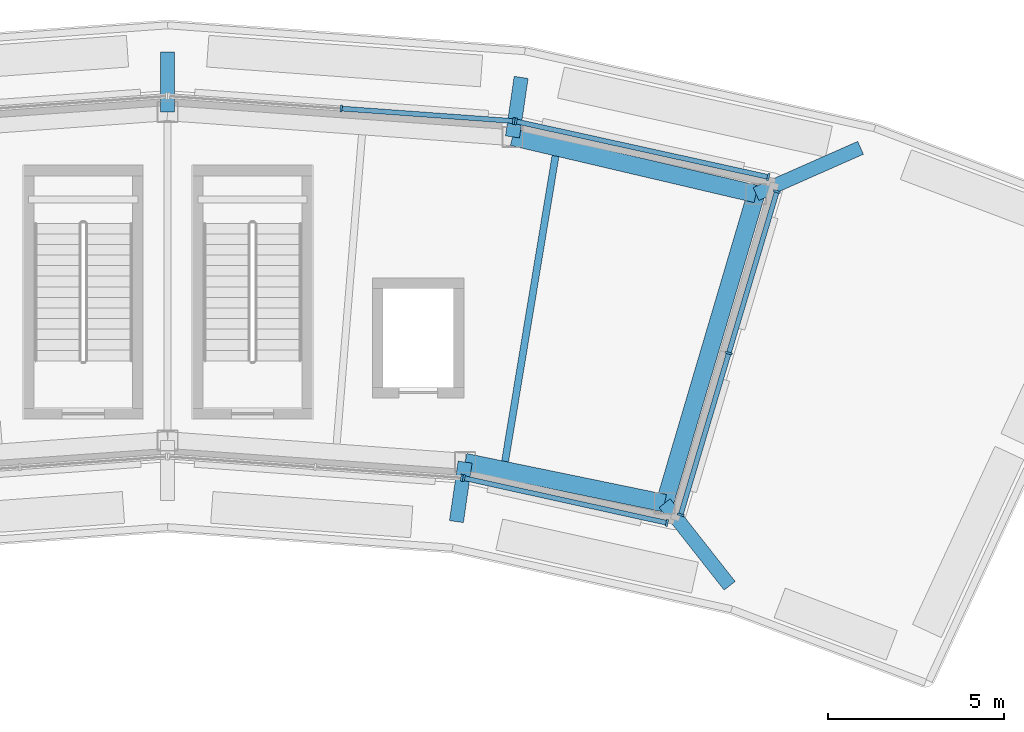
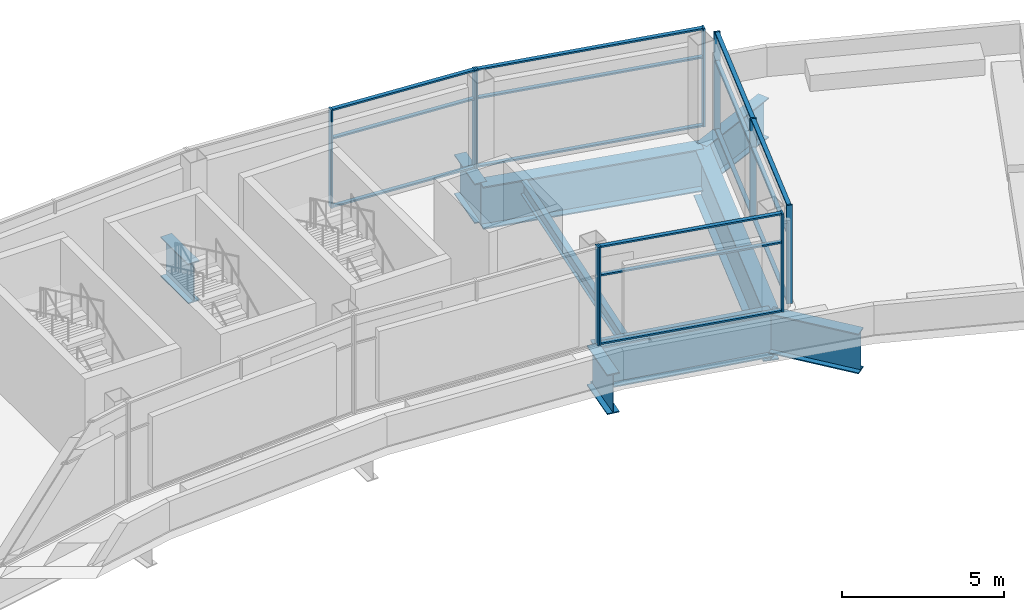
# One storey, part 3 of 7: 25 members, 9 beams, 5 elements without a shape of their own.
"""IFC4 building model written with IfcOpenShell, lengths in metres."""

from ifc_helpers import new_model, si_unit, direction, frame, origin, origin_2d, place, context, subcontext, project, spatial, rectangle, i_section, extrude, material, layer, layer_set, material_profile, profile_set, type_object, element, aggregate, save


model = new_model("IFC4")

# Units and contexts
model_context = context("Model", 3, precision=1e-05, world=origin(), true_north=direction((0.0, 1.0)))
body_context = subcontext(model_context, "Body", "Model", "MODEL_VIEW")
ifc_project = project(units=[si_unit("LENGTHUNIT", "METRE"), si_unit("AREAUNIT", "SQUARE_METRE"), si_unit("VOLUMEUNIT", "CUBIC_METRE"), si_unit("PLANEANGLEUNIT", "RADIAN"), si_unit("MASSUNIT", "GRAM", prefix="KILO")], contexts=[model_context])

# Site, building, storey
site_placement = place(None, origin())
site = spatial("IfcSite", under=ifc_project, at=site_placement, CompositionType="ELEMENT")
building_placement = place(site_placement, origin())
building = spatial("IfcBuilding", under=site, at=building_placement, Name="Tuul Gate Civic Tower", CompositionType="ELEMENT")
storey_placement = place(building_placement, frame((0.0, 0.0, 376.10009765625)))
storey = spatial("IfcBuildingStorey", under=building, at=storey_placement, Name="Crown tier 3 lower", CompositionType="ELEMENT", Elevation=376.10009765625)

# Curtain wall, members
ifc_material_1 = material(Name="Aluminium", Category="aluminium")
ifc_layer = layer(ifc_material_1, 0.199951171875)
ifc_layer_set = layer_set([ifc_layer], Name="Aluminium")
curtain_wall_type = type_object("IfcCurtainWallType", Name="Curtain wall CW5", PredefinedType="NOTDEFINED", material=ifc_layer_set)
curtain_wall_1_placement = place(storey_placement, origin())
curtain_wall_1 = element("IfcCurtainWall", 1, at=curtain_wall_1_placement, inside=storey, type_object=curtain_wall_type, Name="Curtain wall CW5", PredefinedType="NOTDEFINED")
ifc_material_2 = material(Name="Aluminium", Category="aluminium")
ifc_material_profile_1 = material_profile(ifc_material_2, rectangle(XDim=0.199951171875, YDim=0.06005859375, at=origin_2d()), Name="CW5 mullion")
ifc_profile_set_1 = profile_set([ifc_material_profile_1], Name="Aluminium")
member_type_1 = type_object("IfcMemberType", Name="CW5 mullion", PredefinedType="MULLION", material=ifc_profile_set_1)
member_1_placement = place(storey_placement, frame((19.231689453125, 5.96435546875, 0.0), z_axis=(0.0, 0.0, 1.0), x_axis=(-0.215297760919, -0.97654844946, 0.0)))
member_1 = element("IfcMember", 2, at=member_1_placement, type_object=member_type_1, Name="Mullion", PredefinedType="MULLION", context=body_context, shape_type="SweptSolid", body=[
    extrude(rectangle(XDim=0.199951171875, YDim=0.06005859375, at=origin_2d()), origin(), (0.0, 0.0, 1.0), 3.699951171875),
])
member_2_placement = place(storey_placement, frame((12.0693359375, 7.54345703125, 0.0), z_axis=(0.0, 0.0, 1.0), x_axis=(-0.215297760919, -0.97654844946, 0.0)))
member_2 = element("IfcMember", 3, at=member_2_placement, type_object=member_type_1, Name="Mullion", PredefinedType="MULLION", context=body_context, shape_type="SweptSolid", body=[
    extrude(rectangle(XDim=0.199951171875, YDim=0.06005859375, at=origin_2d()), origin(), (0.0, 0.0, 1.0), 3.699951171875),
])

curtain_wall_2_placement = place(storey_placement, origin())
curtain_wall_2 = element("IfcCurtainWall", 4, at=curtain_wall_2_placement, inside=storey, type_object=curtain_wall_type, Name="Curtain wall CW5", PredefinedType="NOTDEFINED")
member_3_placement = place(storey_placement, frame((12.010009765625, 7.55224609375, 0.0), z_axis=(0.0, 0.0, 1.0), x_axis=(-0.072211474614, -0.997389343704, 0.0)))
member_3 = element("IfcMember", 5, at=member_3_placement, type_object=member_type_1, Name="Mullion", PredefinedType="MULLION", context=body_context, shape_type="SweptSolid", body=[
    extrude(rectangle(XDim=0.199951171875, YDim=0.06005859375, at=origin_2d()), origin(), (0.0, 0.0, 1.0), 3.699951171875),
])
member_4_placement = place(storey_placement, frame((7.115966796875, 7.906494140625, 0.0), z_axis=(0.0, 0.0, 1.0), x_axis=(-0.072211474614, -0.997389343704, 0.0)))
member_4 = element("IfcMember", 6, at=member_4_placement, type_object=member_type_1, Name="Mullion", PredefinedType="MULLION", context=body_context, shape_type="SweptSolid", body=[
    extrude(rectangle(XDim=0.199951171875, YDim=0.06005859375, at=origin_2d()), origin(), (0.0, 0.0, 1.0), 3.699951171875),
])

# Curtain wall, member
curtain_wall_3_placement = place(storey_placement, origin())
curtain_wall_3 = element("IfcCurtainWall", 7, at=curtain_wall_3_placement, inside=storey, type_object=curtain_wall_type, Name="Curtain wall CW5", PredefinedType="NOTDEFINED")
member_5_placement = place(storey_placement, frame((10.5361328125, -2.56787109375, 0.0), z_axis=(0.0, 0.0, 1.0), x_axis=(0.072178099624, 0.997391759508, 0.0)))
member_5 = element("IfcMember", 8, at=member_5_placement, type_object=member_type_1, Name="Mullion", PredefinedType="MULLION", context=body_context, shape_type="SweptSolid", body=[
    extrude(rectangle(XDim=0.199951171875, YDim=0.06005859375, at=origin_2d()), origin(), (0.0, 0.0, 1.0), 3.699951171875),
])
aggregate(curtain_wall_3, [member_5])

# Curtain wall, members
curtain_wall_4_placement = place(storey_placement, origin())
curtain_wall_4 = element("IfcCurtainWall", 9, at=curtain_wall_4_placement, inside=storey, type_object=curtain_wall_type, Name="Curtain wall CW5", PredefinedType="NOTDEFINED")
member_6_placement = place(storey_placement, frame((10.59521484375, -2.576416015625, 0.0), z_axis=(0.0, 0.0, 1.0), x_axis=(0.215242614215, 0.976560605916, 0.0)))
member_6 = element("IfcMember", 10, at=member_6_placement, type_object=member_type_1, Name="Mullion", PredefinedType="MULLION", context=body_context, shape_type="SweptSolid", body=[
    extrude(rectangle(XDim=0.199951171875, YDim=0.06005859375, at=origin_2d()), origin(), (0.0, 0.0, 1.0), 3.699951171875),
])
member_7_placement = place(storey_placement, frame((16.357666015625, -3.846435546875, 0.0), z_axis=(0.0, 0.0, 1.0), x_axis=(0.215242614215, 0.976560605916, 0.0)))
member_7 = element("IfcMember", 11, at=member_7_placement, type_object=member_type_1, Name="Mullion", PredefinedType="MULLION", context=body_context, shape_type="SweptSolid", body=[
    extrude(rectangle(XDim=0.199951171875, YDim=0.06005859375, at=origin_2d()), origin(), (0.0, 0.0, 1.0), 3.699951171875),
])

curtain_wall_5_placement = place(storey_placement, origin())
curtain_wall_5 = element("IfcCurtainWall", 12, at=curtain_wall_5_placement, inside=storey, type_object=curtain_wall_type, Name="Curtain wall CW5", PredefinedType="NOTDEFINED")
member_8_placement = place(storey_placement, frame((16.74755859375, -3.6171875, 0.0), z_axis=(0.0, 0.0, 1.0), x_axis=(-0.95847574458, 0.285174064481, 0.0)))
member_8 = element("IfcMember", 13, at=member_8_placement, type_object=member_type_1, Name="Mullion", PredefinedType="MULLION", context=body_context, shape_type="SweptSolid", body=[
    extrude(rectangle(XDim=0.199951171875, YDim=0.06005859375, at=origin_2d()), origin(), (0.0, 0.0, 1.0), 3.699951171875),
])
member_9_placement = place(storey_placement, frame((18.111572265625, 0.967041015625, 0.0), z_axis=(0.0, 0.0, 1.0), x_axis=(-0.95847574458, 0.285174064481, 0.0)))
member_9 = element("IfcMember", 14, at=member_9_placement, type_object=member_type_1, Name="Mullion", PredefinedType="MULLION", context=body_context, shape_type="SweptSolid", body=[
    extrude(rectangle(XDim=0.199951171875, YDim=0.06005859375, at=origin_2d()), origin(), (0.0, 0.0, 1.0), 3.699951171875),
])
member_10_placement = place(storey_placement, frame((19.475341796875, 5.55126953125, 0.0), z_axis=(0.0, 0.0, 1.0), x_axis=(-0.95847574458, 0.285174064481, 0.0)))
member_10 = element("IfcMember", 15, at=member_10_placement, type_object=member_type_1, Name="Mullion", PredefinedType="MULLION", context=body_context, shape_type="SweptSolid", body=[
    extrude(rectangle(XDim=0.199951171875, YDim=0.06005859375, at=origin_2d()), origin(), (0.0, 0.0, 1.0), 3.699951171875),
])

# Member
ifc_material_3 = material(Name="Aluminium", Category="aluminium")
ifc_material_profile_2 = material_profile(ifc_material_3, rectangle(XDim=0.139892578125, YDim=0.06005859375, at=origin_2d()), Name="CW5 transom")
ifc_profile_set_2 = profile_set([ifc_material_profile_2], Name="Aluminium")
member_type_2 = type_object("IfcMemberType", Name="CW5 transom", PredefinedType="USERDEFINED", material=ifc_profile_set_2)
member_11_placement = place(storey_placement, frame((19.202392578125, 5.970947265625, 0.02978515625), z_axis=(-0.976548165097, 0.21529905073, 0.0), x_axis=(-0.21529905073, -0.976548165097, 0.0)))
member_11 = element("IfcMember", 16, at=member_11_placement, type_object=member_type_2, Name="Transom", ObjectType="TRANSOM", PredefinedType="USERDEFINED", context=body_context, shape_type="SweptSolid", body=[
    extrude(rectangle(XDim=0.139892578125, YDim=0.06005859375, at=origin_2d()), origin(), (0.0, 0.0, 1.0), 7.2744140625),
])

member_12_placement = place(storey_placement, frame((19.202392578125, 5.970947265625, 2.599853515625), z_axis=(-0.976548165097, 0.21529905073, 0.0), x_axis=(-0.21529905073, -0.976548165097, 0.0)))
member_12 = element("IfcMember", 17, at=member_12_placement, type_object=member_type_2, Name="Transom", ObjectType="TRANSOM", PredefinedType="USERDEFINED", context=body_context, shape_type="SweptSolid", body=[
    extrude(rectangle(XDim=0.139892578125, YDim=0.06005859375, at=origin_2d()), origin(), (0.0, 0.0, 1.0), 7.2744140625),
])

member_13_placement = place(storey_placement, frame((19.202392578125, 5.970947265625, 3.669921875), z_axis=(-0.976548165097, 0.21529905073, 0.0), x_axis=(-0.21529905073, -0.976548165097, 0.0)))
member_13 = element("IfcMember", 18, at=member_13_placement, type_object=member_type_2, Name="Transom", ObjectType="TRANSOM", PredefinedType="USERDEFINED", context=body_context, shape_type="SweptSolid", body=[
    extrude(rectangle(XDim=0.139892578125, YDim=0.06005859375, at=origin_2d()), origin(), (0.0, 0.0, 1.0), 7.2744140625),
])

aggregate(curtain_wall_1, [member_1, member_2, member_11, member_12, member_13])

member_14_placement = place(storey_placement, frame((11.980224609375, 7.554443359375, 0.02978515625), z_axis=(-0.997391527399, 0.072181306942, 0.0), x_axis=(-0.072181306942, -0.997391527399, 0.0)))
member_14 = element("IfcMember", 19, at=member_14_placement, type_object=member_type_2, Name="Transom", ObjectType="TRANSOM", PredefinedType="USERDEFINED", context=body_context, shape_type="SweptSolid", body=[
    extrude(rectangle(XDim=0.139892578125, YDim=0.06005859375, at=origin_2d()), origin(), (0.0, 0.0, 1.0), 4.846923828125),
])

member_15_placement = place(storey_placement, frame((11.980224609375, 7.554443359375, 2.599853515625), z_axis=(-0.997391527399, 0.072181306942, 0.0), x_axis=(-0.072181306942, -0.997391527399, 0.0)))
member_15 = element("IfcMember", 20, at=member_15_placement, type_object=member_type_2, Name="Transom", ObjectType="TRANSOM", PredefinedType="USERDEFINED", context=body_context, shape_type="SweptSolid", body=[
    extrude(rectangle(XDim=0.139892578125, YDim=0.06005859375, at=origin_2d()), origin(), (0.0, 0.0, 1.0), 4.846923828125),
])

member_16_placement = place(storey_placement, frame((11.980224609375, 7.554443359375, 3.669921875), z_axis=(-0.997391527399, 0.072181306942, 0.0), x_axis=(-0.072181306942, -0.997391527399, 0.0)))
member_16 = element("IfcMember", 21, at=member_16_placement, type_object=member_type_2, Name="Transom", ObjectType="TRANSOM", PredefinedType="USERDEFINED", context=body_context, shape_type="SweptSolid", body=[
    extrude(rectangle(XDim=0.139892578125, YDim=0.06005859375, at=origin_2d()), origin(), (0.0, 0.0, 1.0), 4.846923828125),
])

aggregate(curtain_wall_2, [member_3, member_4, member_14, member_15, member_16])

member_17_placement = place(storey_placement, frame((10.62451171875, -2.5830078125, 0.02978515625), z_axis=(0.976564228316, -0.215226178642, 0.0), x_axis=(0.215226178642, 0.976564228316, 0.0)))
member_17 = element("IfcMember", 22, at=member_17_placement, type_object=member_type_2, Name="Transom", ObjectType="TRANSOM", PredefinedType="USERDEFINED", context=body_context, shape_type="SweptSolid", body=[
    extrude(rectangle(XDim=0.139892578125, YDim=0.06005859375, at=origin_2d()), origin(), (0.0, 0.0, 1.0), 5.8408203125),
])

member_18_placement = place(storey_placement, frame((10.62451171875, -2.5830078125, 2.599853515625), z_axis=(0.976564228316, -0.215226178642, 0.0), x_axis=(0.215226178642, 0.976564228316, 0.0)))
member_18 = element("IfcMember", 23, at=member_18_placement, type_object=member_type_2, Name="Transom", ObjectType="TRANSOM", PredefinedType="USERDEFINED", context=body_context, shape_type="SweptSolid", body=[
    extrude(rectangle(XDim=0.139892578125, YDim=0.06005859375, at=origin_2d()), origin(), (0.0, 0.0, 1.0), 5.8408203125),
])

member_19_placement = place(storey_placement, frame((10.62451171875, -2.5830078125, 3.669921875), z_axis=(0.976564228316, -0.215226178642, 0.0), x_axis=(0.215226178642, 0.976564228316, 0.0)))
member_19 = element("IfcMember", 24, at=member_19_placement, type_object=member_type_2, Name="Transom", ObjectType="TRANSOM", PredefinedType="USERDEFINED", context=body_context, shape_type="SweptSolid", body=[
    extrude(rectangle(XDim=0.139892578125, YDim=0.06005859375, at=origin_2d()), origin(), (0.0, 0.0, 1.0), 5.8408203125),
])

aggregate(curtain_wall_4, [member_6, member_7, member_17, member_18, member_19])

member_20_placement = place(storey_placement, frame((16.756103515625, -3.58837890625, 0.02978515625), z_axis=(0.285198756775, 0.958468397567, 0.0), x_axis=(-0.958468397567, 0.285198756775, 0.0)))
member_20 = element("IfcMember", 25, at=member_20_placement, type_object=member_type_2, Name="Transom", ObjectType="TRANSOM", PredefinedType="USERDEFINED", context=body_context, shape_type="SweptSolid", body=[
    extrude(rectangle(XDim=0.139892578125, YDim=0.06005859375, at=origin_2d()), origin(), (0.0, 0.0, 1.0), 4.72265625),
])

member_21_placement = place(storey_placement, frame((16.756103515625, -3.58837890625, 2.599853515625), z_axis=(0.285198756775, 0.958468397567, 0.0), x_axis=(-0.958468397567, 0.285198756775, 0.0)))
member_21 = element("IfcMember", 26, at=member_21_placement, type_object=member_type_2, Name="Transom", ObjectType="TRANSOM", PredefinedType="USERDEFINED", context=body_context, shape_type="SweptSolid", body=[
    extrude(rectangle(XDim=0.139892578125, YDim=0.06005859375, at=origin_2d()), origin(), (0.0, 0.0, 1.0), 4.72265625),
])

member_22_placement = place(storey_placement, frame((16.756103515625, -3.58837890625, 3.669921875), z_axis=(0.285198756775, 0.958468397567, 0.0), x_axis=(-0.958468397567, 0.285198756775, 0.0)))
member_22 = element("IfcMember", 27, at=member_22_placement, type_object=member_type_2, Name="Transom", ObjectType="TRANSOM", PredefinedType="USERDEFINED", context=body_context, shape_type="SweptSolid", body=[
    extrude(rectangle(XDim=0.139892578125, YDim=0.06005859375, at=origin_2d()), origin(), (0.0, 0.0, 1.0), 4.72265625),
])

member_23_placement = place(storey_placement, frame((18.1201171875, 0.995849609375, 0.02978515625), z_axis=(0.285151265936, 0.958482527506, 0.0), x_axis=(-0.958482527506, 0.285151265936, 0.0)))
member_23 = element("IfcMember", 28, at=member_23_placement, type_object=member_type_2, Name="Transom", ObjectType="TRANSOM", PredefinedType="USERDEFINED", context=body_context, shape_type="SweptSolid", body=[
    extrude(rectangle(XDim=0.139892578125, YDim=0.06005859375, at=origin_2d()), origin(), (0.0, 0.0, 1.0), 4.72265625),
])

member_24_placement = place(storey_placement, frame((18.1201171875, 0.995849609375, 2.599853515625), z_axis=(0.285151265936, 0.958482527506, 0.0), x_axis=(-0.958482527506, 0.285151265936, 0.0)))
member_24 = element("IfcMember", 29, at=member_24_placement, type_object=member_type_2, Name="Transom", ObjectType="TRANSOM", PredefinedType="USERDEFINED", context=body_context, shape_type="SweptSolid", body=[
    extrude(rectangle(XDim=0.139892578125, YDim=0.06005859375, at=origin_2d()), origin(), (0.0, 0.0, 1.0), 4.72265625),
])

member_25_placement = place(storey_placement, frame((18.1201171875, 0.995849609375, 3.669921875), z_axis=(0.285151265936, 0.958482527506, 0.0), x_axis=(-0.958482527506, 0.285151265936, 0.0)))
member_25 = element("IfcMember", 30, at=member_25_placement, type_object=member_type_2, Name="Transom", ObjectType="TRANSOM", PredefinedType="USERDEFINED", context=body_context, shape_type="SweptSolid", body=[
    extrude(rectangle(XDim=0.139892578125, YDim=0.06005859375, at=origin_2d()), origin(), (0.0, 0.0, 1.0), 4.72265625),
])

aggregate(curtain_wall_5, [member_8, member_9, member_10, member_20, member_21, member_22, member_23, member_24, member_25])

# Beams
ifc_material_4 = material(Name="Steel S355", Category="steel")
ifc_material_profile_3 = material_profile(ifc_material_4, i_section(OverallWidth=0.39990234375, OverallDepth=1.5, WebThickness=0.02490234375, FlangeThickness=0.0400390625, at=origin_2d()), Name="PG1500x400x25x40")
ifc_profile_set_3 = profile_set([ifc_material_profile_3], Name="Steel S355")
beam_type_1 = type_object("IfcBeamType", Name="STR-FLOOR BEAM-PG1500x400x25x40", PredefinedType="BEAM", material=ifc_profile_set_3)
beam_1_placement = place(storey_placement, frame((21.8505859375, 6.792724609375, -1.050048828125), z_axis=(-0.914589447818, -0.404383656867, 0.0), x_axis=(0.404383656867, -0.914589447818, 0.0)))
element("IfcBeam", 31, at=beam_1_placement, inside=storey, type_object=beam_type_1, Name="Ring girder stub", PredefinedType="BEAM", context=body_context, shape_type="SweptSolid", body=[
    extrude(i_section(OverallWidth=0.39990234375, OverallDepth=1.5, WebThickness=0.02490234375, FlangeThickness=0.0400390625, at=origin_2d()), origin(), (0.0, 0.0, 1.0), 3.241455078125),
])
beam_2_placement = place(storey_placement, frame((12.220703125, 8.791015625, -1.050048828125), z_axis=(-0.143985716613, -0.989579766068, 0.0), x_axis=(0.989579766068, -0.143985716613, 0.0)))
element("IfcBeam", 32, at=beam_2_placement, inside=storey, type_object=beam_type_1, Name="Ring girder stub", PredefinedType="BEAM", context=body_context, shape_type="SweptSolid", body=[
    extrude(i_section(OverallWidth=0.39990234375, OverallDepth=1.5, WebThickness=0.02490234375, FlangeThickness=0.0400390625, at=origin_2d()), origin(), (0.0, 0.0, 1.0), 1.705810546875),
])
beam_3_placement = place(storey_placement, frame((2.19189453125, 9.51708984375, -1.050048828125), z_axis=(0.0, -1.0, 0.0), x_axis=(1.0, 0.0, 0.0)))
element("IfcBeam", 33, at=beam_3_placement, inside=storey, type_object=beam_type_1, Name="Ring girder stub", PredefinedType="BEAM", context=body_context, shape_type="SweptSolid", body=[
    extrude(i_section(OverallWidth=0.39990234375, OverallDepth=1.5, WebThickness=0.02490234375, FlangeThickness=0.0400390625, at=origin_2d()), origin(), (0.0, 0.0, 1.0), 1.705078125),
])
beam_4_placement = place(storey_placement, frame((10.38525390625, -3.81103515625, -1.050048828125), z_axis=(0.144207567748, 0.989547460915, 0.0), x_axis=(-0.989547460915, 0.144207567748, 0.0)))
element("IfcBeam", 34, at=beam_4_placement, inside=storey, type_object=beam_type_1, Name="Ring girder stub", PredefinedType="BEAM", context=body_context, shape_type="SweptSolid", body=[
    extrude(i_section(OverallWidth=0.39990234375, OverallDepth=1.5, WebThickness=0.02490234375, FlangeThickness=0.0400390625, at=origin_2d()), origin(), (0.0, 0.0, 1.0), 1.704833984375),
])
beam_5_placement = place(storey_placement, frame((18.136474609375, -5.63134765625, -1.050048828125), z_axis=(-0.618674698068, 0.785647260525, 0.0), x_axis=(-0.785647260525, -0.618674698068, 0.0)))
element("IfcBeam", 35, at=beam_5_placement, inside=storey, type_object=beam_type_1, Name="Ring girder stub", PredefinedType="BEAM", context=body_context, shape_type="SweptSolid", body=[
    extrude(i_section(OverallWidth=0.39990234375, OverallDepth=1.5, WebThickness=0.02490234375, FlangeThickness=0.0400390625, at=origin_2d()), origin(), (0.0, 0.0, 1.0), 2.9814453125),
])
ifc_material_5 = material(Name="Steel S355", Category="steel")
ifc_material_profile_4 = material_profile(ifc_material_5, i_section(OverallWidth=0.199951171875, OverallDepth=0.5, WebThickness=0.010009765625, FlangeThickness=0.01611328125, at=origin_2d()), Name="PG500x200x10x16")
ifc_profile_set_4 = profile_set([ifc_material_profile_4], Name="Steel S355")
beam_type_2 = type_object("IfcBeamType", Name="STR-FLOOR BEAM-PG500x200x10x16", PredefinedType="BEAM", material=ifc_profile_set_4)
beam_6_placement = place(storey_placement, frame((11.765380859375, -2.102294921875, -0.550048828125), z_axis=(0.162955793567, 0.98663337129, 0.0), x_axis=(-0.98663337129, 0.162955793567, 0.0)))
element("IfcBeam", 36, at=beam_6_placement, inside=storey, type_object=beam_type_2, Name="Floor beam", PredefinedType="BEAM", context=body_context, shape_type="SweptSolid", body=[
    extrude(i_section(OverallWidth=0.199951171875, OverallDepth=0.5, WebThickness=0.010009765625, FlangeThickness=0.01611328125, at=origin_2d()), origin(), (0.0, 0.0, 1.0), 8.779541015625),
])
ifc_material_6 = material(Name="Steel S355", Category="steel")
ifc_material_profile_5 = material_profile(ifc_material_6, i_section(OverallWidth=0.5, OverallDepth=1.60009765625, WebThickness=0.02490234375, FlangeThickness=0.044921875, at=origin_2d()), Name="PG1600x500x25x45")
ifc_profile_set_5 = profile_set([ifc_material_profile_5], Name="Steel S355")
beam_type_3 = type_object("IfcBeamType", Name="STR-RING BEAM-PG1600x500x25x45", PredefinedType="BEAM", material=ifc_profile_set_5)
beam_7_placement = place(storey_placement, frame((18.885986328125, 5.48193359375, -1.10009765625), z_axis=(-0.973573908945, 0.228372160787, 0.0), x_axis=(-0.228372160787, -0.973573908945, 0.0)))
element("IfcBeam", 37, at=beam_7_placement, inside=storey, type_object=beam_type_3, Name="Ring girder", PredefinedType="BEAM", context=body_context, shape_type="SweptSolid", body=[
    extrude(i_section(OverallWidth=0.5, OverallDepth=1.60009765625, WebThickness=0.02490234375, FlangeThickness=0.044921875, at=origin_2d()), origin(), (0.0, 0.0, 1.0), 7.098388671875),
])
beam_8_placement = place(storey_placement, frame((10.631103515625, -2.1240234375, -1.10009765625), z_axis=(0.979472009403, -0.201580214296, 0.0), x_axis=(0.201580214296, 0.979472009403, 0.0)))
element("IfcBeam", 38, at=beam_8_placement, inside=storey, type_object=beam_type_3, Name="Ring girder", PredefinedType="BEAM", context=body_context, shape_type="SweptSolid", body=[
    extrude(i_section(OverallWidth=0.5, OverallDepth=1.60009765625, WebThickness=0.02490234375, FlangeThickness=0.044921875, at=origin_2d()), origin(), (0.0, 0.0, 1.0), 5.779541015625),
])
ifc_material_7 = material(Name="Steel S355", Category="steel")
ifc_material_profile_6 = material_profile(ifc_material_7, i_section(OverallWidth=0.5, OverallDepth=1.89990234375, WebThickness=0.02490234375, FlangeThickness=0.0400390625, at=origin_2d()), Name="PG1900x500x25x40")
ifc_profile_set_6 = profile_set([ifc_material_profile_6], Name="Steel S355")
beam_type_4 = type_object("IfcBeamType", Name="STR-RING BEAM-PG1900x500x25x40", PredefinedType="BEAM", material=ifc_profile_set_6)
beam_9_placement = place(storey_placement, frame((16.2919921875, -3.2890625, -1.25), z_axis=(0.283603896886, 0.95894151525, 0.0), x_axis=(-0.95894151525, 0.283603896886, 0.0)))
element("IfcBeam", 39, at=beam_9_placement, inside=storey, type_object=beam_type_4, Name="Ring girder", PredefinedType="BEAM", context=body_context, shape_type="SweptSolid", body=[
    extrude(i_section(OverallWidth=0.5, OverallDepth=1.89990234375, WebThickness=0.02490234375, FlangeThickness=0.0400390625, at=origin_2d()), origin(), (0.0, 0.0, 1.0), 9.146484375),
])

save(model, "model.ifc")
